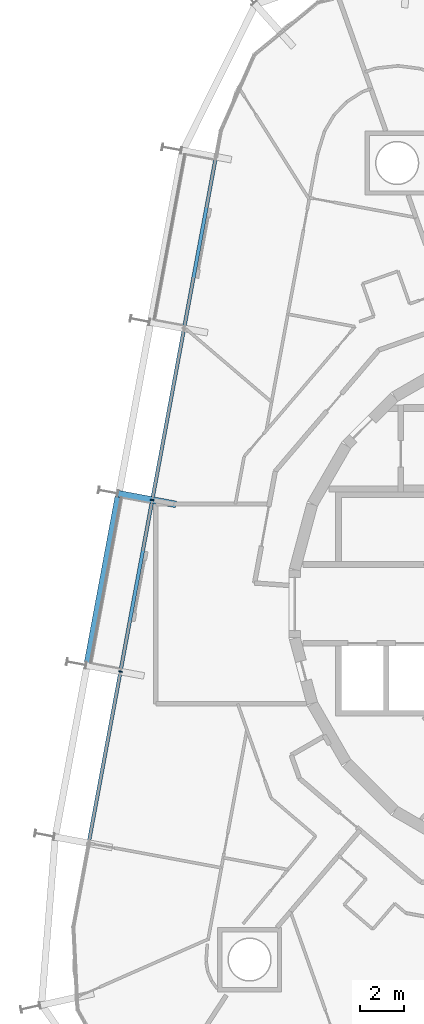
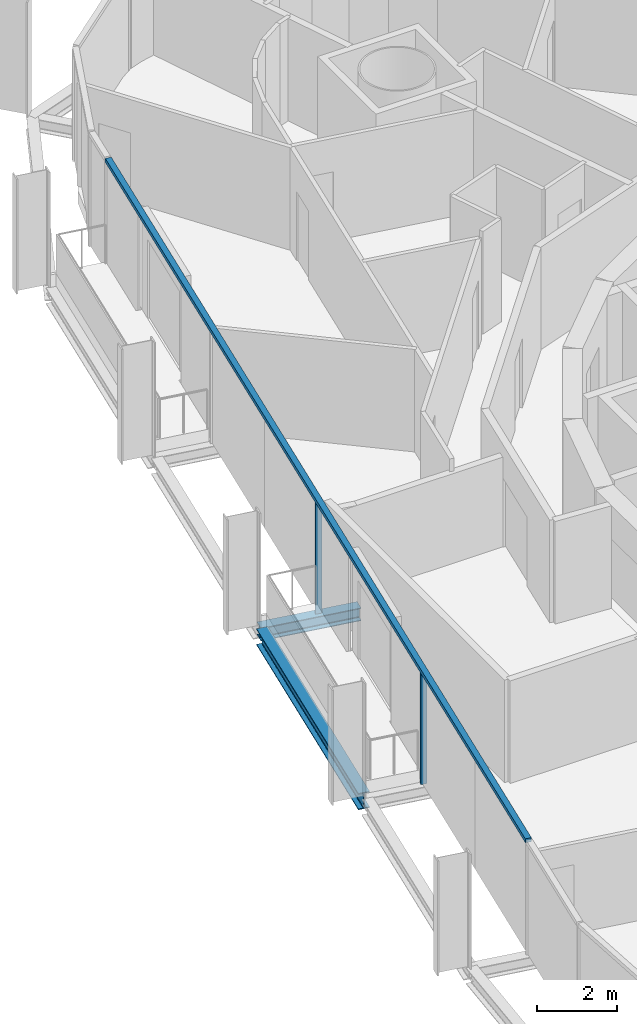
# One storey, part 4 of 17: 3 members, 2 beams, 1 element without a shape of its own.
"""IFC4 building model written with IfcOpenShell, lengths in metres."""

from ifc_helpers import new_model, si_unit, direction, frame, origin, origin_2d, place, context, subcontext, project, spatial, rectangle, i_section, extrude, material, layer, layer_set, material_profile, profile_set, type_object, element, aggregate, save


model = new_model("IFC4")

# Units and contexts
model_context = context("Model", 3, precision=1e-05, world=origin(), true_north=direction((0.0, 1.0)))
body_context = subcontext(model_context, "Body", "Model", "MODEL_VIEW")
ifc_project = project(units=[si_unit("LENGTHUNIT", "METRE"), si_unit("AREAUNIT", "SQUARE_METRE"), si_unit("VOLUMEUNIT", "CUBIC_METRE"), si_unit("PLANEANGLEUNIT", "RADIAN"), si_unit("MASSUNIT", "GRAM", prefix="KILO")], contexts=[model_context])

# Site, building, storey
site_placement = place(None, origin())
site = spatial("IfcSite", under=ifc_project, at=site_placement, CompositionType="ELEMENT")
building_placement = place(site_placement, origin())
building = spatial("IfcBuilding", under=site, at=building_placement, Name="Spindle Arch Residences", CompositionType="ELEMENT")
storey_placement = place(building_placement, frame((0.0, 0.0, 158.699951171875)))
storey = spatial("IfcBuildingStorey", under=building, at=storey_placement, Name="L39", CompositionType="ELEMENT", Elevation=158.699951171875)

# Curtain wall, members
ifc_material_1 = material(Name="Aluminium bronze unitised frame with tinted glass", Category="aluminium")
ifc_layer = layer(ifc_material_1, 0.159912109375)
ifc_layer_set = layer_set([ifc_layer], Name="CW-C typical residential unitised wall")
curtain_wall_type = type_object("IfcCurtainWallType", Name="CW-C typical residential unitised wall", PredefinedType="NOTDEFINED", material=ifc_layer_set)
curtain_wall_placement = place(storey_placement, origin())
curtain_wall = element("IfcCurtainWall", 1, at=curtain_wall_placement, inside=storey, type_object=curtain_wall_type, Name="CW-C L39 run 4", PredefinedType="NOTDEFINED")
ifc_material_2 = material(Name="Aluminium bronze anodised mullion", Category="aluminium")
ifc_material_profile_1 = material_profile(ifc_material_2, rectangle(XDim=0.159912109375, YDim=0.06005859375, at=origin_2d()), Name="MU 60x160")
ifc_profile_set_1 = profile_set([ifc_material_profile_1], Name="Aluminium bronze anodised mullion")
member_type_1 = type_object("IfcMemberType", Name="Bronze mullion 60x160", PredefinedType="MULLION", material=ifc_profile_set_1)
member_1_placement = place(storey_placement, frame((-18.0625, 4.679931640625, -0.3798828125), z_axis=(0.0, 0.0, 1.0), x_axis=(0.983254907564, -0.182235525492, 0.0)))
member_1 = element("IfcMember", 2, at=member_1_placement, type_object=member_type_1, Name="CW-C mullion 14", PredefinedType="MULLION", context=body_context, shape_type="SweptSolid", body=[
    extrude(rectangle(XDim=0.159912109375, YDim=0.06005859375, at=origin_2d()), origin(), (0.0, 0.0, 1.0), 3.3798828125),
])
member_2_placement = place(storey_placement, frame((-19.494873046875, -3.04833984375, -0.3798828125), z_axis=(0.0, 0.0, 1.0), x_axis=(0.983254907564, -0.182235525492, 0.0)))
member_2 = element("IfcMember", 3, at=member_2_placement, type_object=member_type_1, Name="CW-C mullion 15", PredefinedType="MULLION", context=body_context, shape_type="SweptSolid", body=[
    extrude(rectangle(XDim=0.159912109375, YDim=0.06005859375, at=origin_2d()), origin(), (0.0, 0.0, 1.0), 3.3798828125),
])
ifc_material_3 = material(Name="Aluminium bronze anodised transom", Category="aluminium")
ifc_material_profile_2 = material_profile(ifc_material_3, rectangle(XDim=0.159912109375, YDim=0.1201171875, at=origin_2d()), Name="TR 120x160")
ifc_profile_set_2 = profile_set([ifc_material_profile_2], Name="Aluminium bronze anodised transom")
member_type_2 = type_object("IfcMemberType", Name="Bronze transom 120x160", PredefinedType="USERDEFINED", material=ifc_profile_set_2)
member_3_placement = place(storey_placement, frame((-15.203125, 20.107421875, 3.06005859375), z_axis=(-0.182240536166, -0.983253978877, 0.0), x_axis=(0.983253978877, -0.182240536166, 0.0)))
member_3 = element("IfcMember", 4, at=member_3_placement, type_object=member_type_2, Name="CW-C transom 00", ObjectType="TRANSOM", PredefinedType="USERDEFINED", context=body_context, shape_type="SweptSolid", body=[
    extrude(rectangle(XDim=0.159912109375, YDim=0.1201171875, at=origin_2d()), origin(), (0.0, 0.0, 1.0), 31.380126953125),
])
aggregate(curtain_wall, [member_3, member_1, member_2])

# Beams
ifc_material_4 = material(Name="Steel S460ML, intumescent coating R 120", Category="steel")
ifc_material_profile_3 = material_profile(ifc_material_4, i_section(OverallWidth=0.300048828125, OverallDepth=0.5, WebThickness=0.014404296875, FlangeThickness=0.028076171875, FilletRadius=0.027099609375, at=origin_2d()), Name="HEB 500")
ifc_profile_set_3 = profile_set([ifc_material_profile_3], Name="Steel S460ML, intumescent coating R 120")
beam_type_1 = type_object("IfcBeamType", Name="Exoskeleton edge beam HEB 500", PredefinedType="BEAM", material=ifc_profile_set_3)
beam_1_placement = place(storey_placement, frame((-19.590576171875, 4.8310546875, -0.6298828125), z_axis=(-0.182234195466, -0.983255154069, 0.0), x_axis=(0.983255154069, -0.182234195466, 0.0)))
element("IfcBeam", 5, at=beam_1_placement, inside=storey, type_object=beam_type_1, Name="Exoskeleton edge beam 15", PredefinedType="BEAM", context=body_context, shape_type="SweptSolid", body=[
    extrude(i_section(OverallWidth=0.300048828125, OverallDepth=0.5, WebThickness=0.014404296875, FlangeThickness=0.028076171875, FilletRadius=0.027099609375, at=origin_2d()), origin(), (0.0, 0.0, 1.0), 7.60009765625),
])
ifc_material_5 = material(Name="Steel S460ML, intumescent coating R 120", Category="steel")
ifc_material_profile_4 = material_profile(ifc_material_5, i_section(OverallWidth=0.300048828125, OverallDepth=0.389892578125, WebThickness=0.010986328125, FlangeThickness=0.01904296875, FilletRadius=0.027099609375, at=origin_2d()), Name="HEA 400")
ifc_profile_set_4 = profile_set([ifc_material_profile_4], Name="Steel S460ML, intumescent coating R 120")
beam_type_2 = type_object("IfcBeamType", Name="Floor outrigger HEA 400", PredefinedType="BEAM", material=ifc_profile_set_4)
beam_2_placement = place(storey_placement, frame((-19.606201171875, 4.966064453125, -0.574951171875), z_axis=(0.98325694826, -0.182224514537, 0.0), x_axis=(0.182224514537, 0.98325694826, 0.0)))
element("IfcBeam", 6, at=beam_2_placement, inside=storey, type_object=beam_type_2, Name="Floor outrigger 15", PredefinedType="BEAM", context=body_context, shape_type="SweptSolid", body=[
    extrude(i_section(OverallWidth=0.300048828125, OverallDepth=0.389892578125, WebThickness=0.010986328125, FlangeThickness=0.01904296875, FilletRadius=0.027099609375, at=origin_2d()), origin(), (0.0, 0.0, 1.0), 2.650146484375),
])

save(model, "model.ifc")
